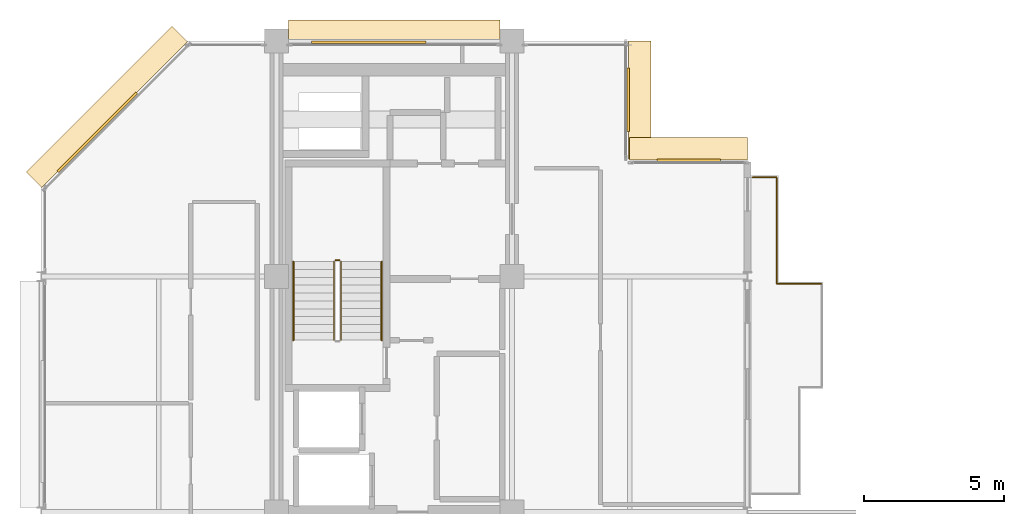
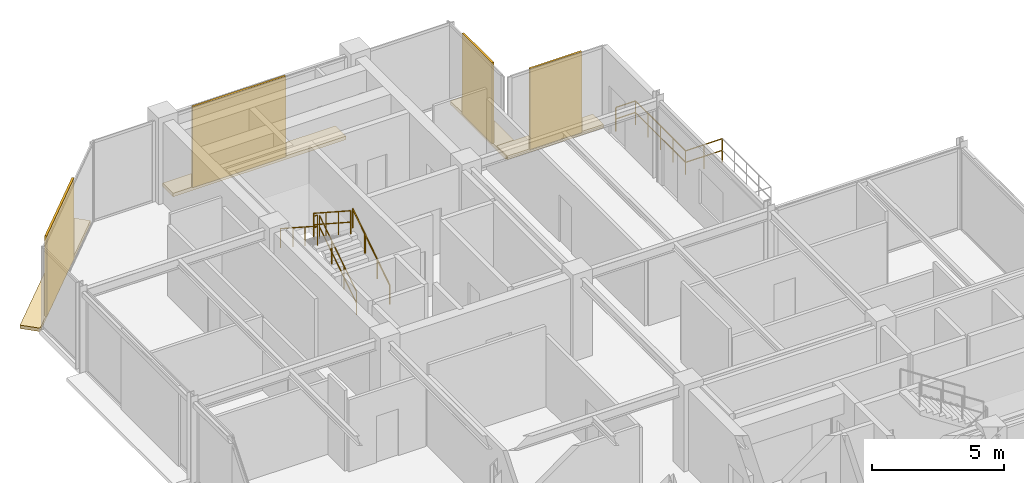
# One storey, part 25 of 25: 8 coverings, 8 railings.
"""IFC4 building model written with IfcOpenShell, lengths in metres."""

from ifc_helpers import new_model, si_unit, direction, frame, origin, origin_2d, place, context, subcontext, project, spatial, polyline, rectangle, circle, outline, extrude, material, layer, layer_set, type_object, element, save


model = new_model("IFC4")

# Units and contexts
model_context = context("Model", 3, precision=1e-05, world=origin(), true_north=direction((0.0, 1.0)))
body_context = subcontext(model_context, "Body", "Model", "MODEL_VIEW")
ifc_project = project(units=[si_unit("LENGTHUNIT", "METRE"), si_unit("AREAUNIT", "SQUARE_METRE"), si_unit("VOLUMEUNIT", "CUBIC_METRE"), si_unit("PLANEANGLEUNIT", "RADIAN"), si_unit("MASSUNIT", "GRAM", prefix="KILO")], contexts=[model_context])

# Site, building, storey
site_placement = place(None, origin())
site = spatial("IfcSite", under=ifc_project, at=site_placement, CompositionType="ELEMENT")
building_placement = place(site_placement, origin())
building = spatial("IfcBuilding", under=site, at=building_placement, Name="Nerrivon Quay Data Exchange", CompositionType="ELEMENT")
storey_placement = place(building_placement, frame((0.0, 0.0, 302.199951171875)))
storey = spatial("IfcBuildingStorey", under=building, at=storey_placement, Name="L72", CompositionType="ELEMENT", Elevation=302.199951171875)

# Coverings
ifc_material_1 = material(Name="Architectural terracotta ceramic", Category="masonry")
ifc_layer_1 = layer(ifc_material_1, 0.159912109375)
ifc_layer_set_1 = layer_set([ifc_layer_1], Name="Architectural terracotta ceramic")
covering_type_1 = type_object("IfcCoveringType", Name="COV-BLD-TERR", PredefinedType="CLADDING", material=ifc_layer_set_1)
covering_1_placement = place(storey_placement, frame((0.0, 0.0, -0.159912109375)))
element("IfcCovering", 1, at=covering_1_placement, inside=storey, type_object=covering_type_1, Name="L72 Horizontal Terracotta SOLAR SCREEN Blade", PredefinedType="CLADDING", context=body_context, shape_type="SweptSolid", body=[
    extrude(outline(polyline([(0.0283203125, 36.771728515625), (5.228271484375, 41.9716796875), (4.669677734375, 42.5302734375), (-0.5302734375, 37.330322265625), (0.0283203125, 36.771728515625)])), origin(), (0.0, 0.0, 1.0), 0.159912109375),
])
covering_2_placement = place(storey_placement, frame((0.0, 0.0, -0.159912109375)))
element("IfcCovering", 2, at=covering_2_placement, inside=storey, type_object=covering_type_1, Name="L72 Horizontal Terracotta SOLAR SCREEN Blade", PredefinedType="CLADDING", context=body_context, shape_type="SweptSolid", body=[
    extrude(outline(polyline([(8.824951171875, 41.9599609375), (16.375, 41.9599609375), (16.375, 42.75), (8.824951171875, 42.75), (8.824951171875, 41.9599609375)])), origin(), (0.0, 0.0, 1.0), 0.159912109375),
])
covering_3_placement = place(storey_placement, frame((0.0, 0.0, -0.159912109375)))
element("IfcCovering", 3, at=covering_3_placement, inside=storey, type_object=covering_type_1, Name="L72 Horizontal Terracotta SOLAR SCREEN Blade", PredefinedType="CLADDING", context=body_context, shape_type="SweptSolid", body=[
    extrude(outline(polyline([(20.9599609375, 42.0), (20.9599609375, 37.800048828125), (21.75, 37.800048828125), (21.75, 42.0), (20.9599609375, 42.0)])), origin(), (0.0, 0.0, 1.0), 0.159912109375),
])
covering_4_placement = place(storey_placement, frame((0.0, 0.0, -0.159912109375)))
element("IfcCovering", 4, at=covering_4_placement, inside=storey, type_object=covering_type_1, Name="L72 Horizontal Terracotta SOLAR SCREEN Blade", PredefinedType="CLADDING", context=body_context, shape_type="SweptSolid", body=[
    extrude(outline(polyline([(21.0, 37.760009765625), (25.199951171875, 37.760009765625), (25.199951171875, 38.550048828125), (21.0, 38.550048828125), (21.0, 37.760009765625)])), origin(), (0.0, 0.0, 1.0), 0.159912109375),
])
ifc_layer_2 = layer(ifc_material_1, 0.090087890625)
ifc_layer_set_2 = layer_set([ifc_layer_2], Name="Architectural terracotta ceramic")
covering_type_2 = type_object("IfcCoveringType", Name="COV-SCR-TERR", PredefinedType="CLADDING", material=ifc_layer_set_2)
covering_5_placement = place(storey_placement, frame((2.0078125, 38.744140625, 0.0), z_axis=(0.0, 0.0, 1.0), x_axis=(0.707106781187, 0.707106781187, 0.0)))
element("IfcCovering", 5, at=covering_5_placement, inside=storey, type_object=covering_type_2, Name="L72 Perforated Terracotta SOLAR SCREEN Cassette", PredefinedType="CLADDING", context=body_context, shape_type="SweptSolid", body=[
    extrude(rectangle(XDim=3.970947265625, YDim=0.090087890625, at=origin_2d()), origin(), (0.0, 0.0, 1.0), 3.72509765625),
])
covering_6_placement = place(storey_placement, frame((11.694091796875, 41.955078125, 0.0), z_axis=(0.0, 0.0, 1.0), x_axis=(1.0, 0.0, 0.0)))
element("IfcCovering", 6, at=covering_6_placement, inside=storey, type_object=covering_type_2, Name="L72 Perforated Terracotta SOLAR SCREEN Cassette", PredefinedType="CLADDING", context=body_context, shape_type="SweptSolid", body=[
    extrude(rectangle(XDim=4.076904296875, YDim=0.090087890625, at=origin_2d()), origin(), (0.0, 0.0, 1.0), 3.72509765625),
])
for number, where, z_axis, x_axis, name in (
    (7, (20.955078125, 39.89990234375, 0.0), (0.0, 0.0, 1.0), (0.0, -1.0, 0.0), "L72 Perforated Terracotta SOLAR SCREEN Cassette"),
    (8, (23.10009765625, 37.7548828125, 0.0), (0.0, 0.0, 1.0), (1.0, 0.0, 0.0), "L72 Perforated Terracotta SOLAR SCREEN Cassette"),
):
    element("IfcCovering", number, at=place(storey_placement, frame(where, z_axis=z_axis, x_axis=x_axis)), inside=storey, type_object=covering_type_2, Name=name, PredefinedType="CLADDING", context=body_context, shape_type="SweptSolid", body=[
        extrude(rectangle(XDim=2.26806640625, YDim=0.090087890625, at=origin_2d()), origin(), (0.0, 0.0, 1.0), 3.72509765625),
    ])

# Railings
ifc_material_2 = material(Name="Steel Grade C350L0 (350 MPa)", Category="steel")
railing_type_1 = type_object("IfcRailingType", Name="RAIL-GUARD-GR2", PredefinedType="BALUSTRADE", material=ifc_material_2)
railing_1_placement = place(storey_placement, frame((25.3798828125, 37.139892578125, 0.0)))
element("IfcRailing", 9, at=railing_1_placement, inside=storey, type_object=railing_type_1, Name="L72 Verandah Balcony Guard 1.3 1", PredefinedType="BALUSTRADE", context=body_context, shape_type="SweptSolid", body=[
    extrude(circle(Radius=0.02392578125, at=origin_2d()), frame((0.0, 0.0, 1.09619140625), z_axis=(1.0, 0.0, 0.0), x_axis=(0.0, 1.0, 0.0)), (0.0, 0.0, 1.0), 0.860107421875),
    extrude(circle(Radius=0.02392578125, at=origin_2d()), frame((0.0, 0.0, 0.56005859375), z_axis=(1.0, 0.0, 0.0), x_axis=(0.0, 1.0, 0.0)), (0.0, 0.0, 1.0), 0.860107421875),
    extrude(circle(Radius=0.02099609375, at=origin_2d()), origin(), (0.0, 0.0, 1.0), 1.072021484375),
    extrude(circle(Radius=0.02099609375, at=origin_2d()), frame((0.860107421875, 0.0, 0.0)), (0.0, 0.0, 1.0), 1.072021484375),
])
railing_2_placement = place(storey_placement, frame((26.239990234375, 37.139892578125, 0.0)))
element("IfcRailing", 10, at=railing_2_placement, inside=storey, type_object=railing_type_1, Name="L72 Verandah Balcony Guard 1.4 1", PredefinedType="BALUSTRADE", context=body_context, shape_type="SweptSolid", body=[
    extrude(circle(Radius=0.02392578125, at=origin_2d()), frame((0.0, 0.0, 1.09619140625), z_axis=(0.0, -1.0, 0.0), x_axis=(1.0, 0.0, 0.0)), (0.0, 0.0, 1.0), 3.7998046875),
    extrude(circle(Radius=0.02392578125, at=origin_2d()), frame((0.0, 0.0, 0.56005859375), z_axis=(0.0, -1.0, 0.0), x_axis=(1.0, 0.0, 0.0)), (0.0, 0.0, 1.0), 3.7998046875),
    extrude(circle(Radius=0.02099609375, at=origin_2d()), origin(), (0.0, 0.0, 1.0), 1.072021484375),
    extrude(circle(Radius=0.02099609375, at=origin_2d()), frame((0.0, -0.949951171875, 0.0)), (0.0, 0.0, 1.0), 1.072021484375),
    extrude(circle(Radius=0.02099609375, at=origin_2d()), frame((0.0, -1.89990234375, 0.0)), (0.0, 0.0, 1.0), 1.072021484375),
    extrude(circle(Radius=0.02099609375, at=origin_2d()), frame((0.0, -2.849853515625, 0.0)), (0.0, 0.0, 1.0), 1.072021484375),
    extrude(circle(Radius=0.02099609375, at=origin_2d()), frame((0.0, -3.7998046875, 0.0)), (0.0, 0.0, 1.0), 1.072021484375),
])
railing_3_placement = place(storey_placement, frame((26.239990234375, 33.340087890625, 0.0)))
element("IfcRailing", 11, at=railing_3_placement, inside=storey, type_object=railing_type_1, Name="L72 Verandah Balcony Guard 1.5 1", PredefinedType="BALUSTRADE", context=body_context, shape_type="SweptSolid", body=[
    extrude(circle(Radius=0.02392578125, at=origin_2d()), frame((0.0, 0.0, 1.09619140625), z_axis=(1.0, 0.0, 0.0), x_axis=(0.0, 1.0, 0.0)), (0.0, 0.0, 1.0), 1.60009765625),
    extrude(circle(Radius=0.02392578125, at=origin_2d()), frame((0.0, 0.0, 0.56005859375), z_axis=(1.0, 0.0, 0.0), x_axis=(0.0, 1.0, 0.0)), (0.0, 0.0, 1.0), 1.60009765625),
    extrude(circle(Radius=0.02099609375, at=origin_2d()), origin(), (0.0, 0.0, 1.0), 1.072021484375),
    extrude(circle(Radius=0.02099609375, at=origin_2d()), frame((0.800048828125, 0.0, 0.0)), (0.0, 0.0, 1.0), 1.072021484375),
    extrude(circle(Radius=0.02099609375, at=origin_2d()), frame((1.60009765625, 0.0, 0.0)), (0.0, 0.0, 1.0), 1.072021484375),
])
railing_type_2 = type_object("IfcRailingType", Name="RAIL-HAND-HR1", PredefinedType="HANDRAIL", material=ifc_material_2)
railing_4_placement = place(storey_placement, frame((12.14990234375, 31.330078125, 0.181884765625)))
element("IfcRailing", 12, at=railing_4_placement, inside=storey, type_object=railing_type_2, Name="L72 ST01 stair handrail 1", PredefinedType="HANDRAIL", context=body_context, shape_type="SweptSolid", body=[
    extrude(circle(Radius=0.02392578125, at=origin_2d()), frame((0.0, 0.0, 0.8759765625), z_axis=(0.0, 0.83868413941, 0.544618136222), x_axis=(-1.0, 0.0, 0.0)), (0.0, 0.0, 1.0), 3.33837890625),
    extrude(circle(Radius=0.02099609375, at=origin_2d()), origin(), (0.0, 0.0, 1.0), 0.851806640625),
    extrude(circle(Radius=0.02099609375, at=origin_2d()), frame((0.0, 0.933349609375, 0.60595703125)), (0.0, 0.0, 1.0), 0.851806640625),
    extrude(circle(Radius=0.02099609375, at=origin_2d()), frame((0.0, 1.866455078125, 1.212158203125)), (0.0, 0.0, 1.0), 0.851806640625),
    extrude(circle(Radius=0.02099609375, at=origin_2d()), frame((0.0, 2.7998046875, 1.818115234375)), (0.0, 0.0, 1.0), 0.851806640625),
])
railing_5_placement = place(storey_placement, frame((9.0, 34.1298828125, 2.181884765625)))
element("IfcRailing", 13, at=railing_5_placement, inside=storey, type_object=railing_type_2, Name="L72 ST01 stair handrail 2", PredefinedType="HANDRAIL", context=body_context, shape_type="SweptSolid", body=[
    extrude(circle(Radius=0.02392578125, at=origin_2d()), frame((0.0, 0.0, 0.8759765625), z_axis=(0.0, -0.83868413941, 0.544618136222), x_axis=(1.0, 0.0, 0.0)), (0.0, 0.0, 1.0), 3.33837890625),
    extrude(circle(Radius=0.02099609375, at=origin_2d()), origin(), (0.0, 0.0, 1.0), 0.851806640625),
    extrude(circle(Radius=0.02099609375, at=origin_2d()), frame((0.0, -0.933349609375, 0.60595703125)), (0.0, 0.0, 1.0), 0.851806640625),
    extrude(circle(Radius=0.02099609375, at=origin_2d()), frame((0.0, -1.866455078125, 1.212158203125)), (0.0, 0.0, 1.0), 0.851806640625),
    extrude(circle(Radius=0.02099609375, at=origin_2d()), frame((0.0, -2.7998046875, 1.818115234375)), (0.0, 0.0, 1.0), 0.851806640625),
])
railing_type_3 = type_object("IfcRailingType", Name="RAIL-STAIR-GR1", PredefinedType="BALUSTRADE", material=ifc_material_2)
railing_6_placement = place(storey_placement, frame((10.699951171875, 31.330078125, 0.181884765625)))
element("IfcRailing", 14, at=railing_6_placement, inside=storey, type_object=railing_type_3, Name="L72 ST01 stair guard 1", PredefinedType="BALUSTRADE", context=body_context, shape_type="SweptSolid", body=[
    extrude(circle(Radius=0.02392578125, at=origin_2d()), frame((0.0, 0.0, 1.076171875), z_axis=(0.0, 0.83868413941, 0.544618136222), x_axis=(-1.0, 0.0, 0.0)), (0.0, 0.0, 1.0), 3.33837890625),
    extrude(circle(Radius=0.02392578125, at=origin_2d()), frame((0.0, 0.0, 0.550048828125), z_axis=(0.0, 0.83868413941, 0.544618136222), x_axis=(-1.0, 0.0, 0.0)), (0.0, 0.0, 1.0), 3.33837890625),
    extrude(circle(Radius=0.02099609375, at=origin_2d()), origin(), (0.0, 0.0, 1.0), 1.052001953125),
    extrude(circle(Radius=0.02099609375, at=origin_2d()), frame((0.0, 0.933349609375, 0.60595703125)), (0.0, 0.0, 1.0), 1.052001953125),
    extrude(circle(Radius=0.02099609375, at=origin_2d()), frame((0.0, 1.866455078125, 1.212158203125)), (0.0, 0.0, 1.0), 1.052001953125),
    extrude(circle(Radius=0.02099609375, at=origin_2d()), frame((0.0, 2.7998046875, 1.818115234375)), (0.0, 0.0, 1.0), 1.052001953125),
])
railing_7_placement = place(storey_placement, frame((10.64990234375, 34.179931640625, 2.0)))
element("IfcRailing", 15, at=railing_7_placement, inside=storey, type_object=railing_type_3, Name="L72 ST01 stair guard 2", PredefinedType="BALUSTRADE", context=body_context, shape_type="SweptSolid", body=[
    extrude(circle(Radius=0.02392578125, at=origin_2d()), frame((0.0, 0.0, 1.076171875), z_axis=(-1.0, 0.0, 0.0), x_axis=(0.0, -1.0, 0.0)), (0.0, 0.0, 1.0), 0.14990234375),
    extrude(circle(Radius=0.02392578125, at=origin_2d()), frame((0.0, 0.0, 0.550048828125), z_axis=(-1.0, 0.0, 0.0), x_axis=(0.0, -1.0, 0.0)), (0.0, 0.0, 1.0), 0.14990234375),
    extrude(circle(Radius=0.02099609375, at=origin_2d()), origin(), (0.0, 0.0, 1.0), 1.052001953125),
    extrude(circle(Radius=0.02099609375, at=origin_2d()), frame((-0.14990234375, 0.0, 0.0)), (0.0, 0.0, 1.0), 1.052001953125),
])
railing_8_placement = place(storey_placement, frame((10.449951171875, 34.1298828125, 2.181884765625)))
element("IfcRailing", 16, at=railing_8_placement, inside=storey, type_object=railing_type_3, Name="L72 ST01 stair guard 3", PredefinedType="BALUSTRADE", context=body_context, shape_type="SweptSolid", body=[
    extrude(circle(Radius=0.02392578125, at=origin_2d()), frame((0.0, 0.0, 1.076171875), z_axis=(0.0, -0.83868413941, 0.544618136222), x_axis=(1.0, 0.0, 0.0)), (0.0, 0.0, 1.0), 3.33837890625),
    extrude(circle(Radius=0.02392578125, at=origin_2d()), frame((0.0, 0.0, 0.550048828125), z_axis=(0.0, -0.83868413941, 0.544618136222), x_axis=(1.0, 0.0, 0.0)), (0.0, 0.0, 1.0), 3.33837890625),
    extrude(circle(Radius=0.02099609375, at=origin_2d()), origin(), (0.0, 0.0, 1.0), 1.052001953125),
    extrude(circle(Radius=0.02099609375, at=origin_2d()), frame((0.0, -0.933349609375, 0.60595703125)), (0.0, 0.0, 1.0), 1.052001953125),
    extrude(circle(Radius=0.02099609375, at=origin_2d()), frame((0.0, -1.866455078125, 1.212158203125)), (0.0, 0.0, 1.0), 1.052001953125),
    extrude(circle(Radius=0.02099609375, at=origin_2d()), frame((0.0, -2.7998046875, 1.818115234375)), (0.0, 0.0, 1.0), 1.052001953125),
])

save(model, "model.ifc")
